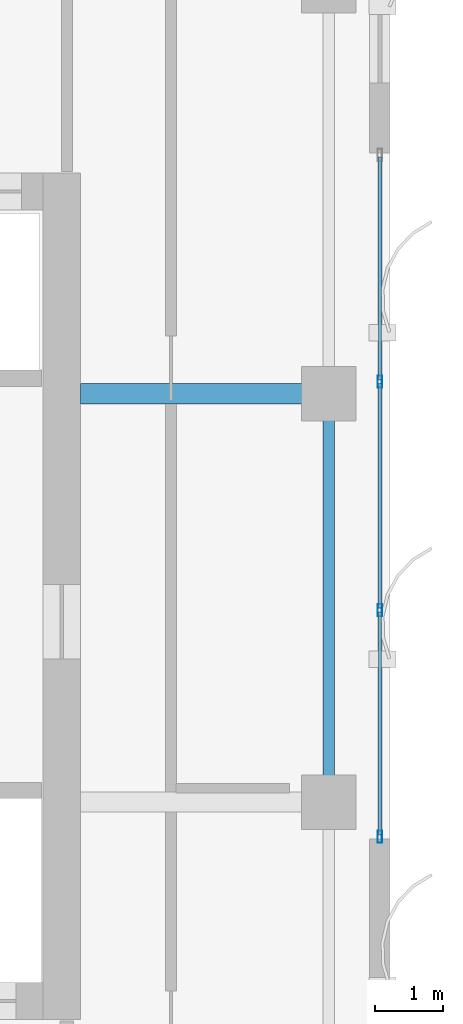
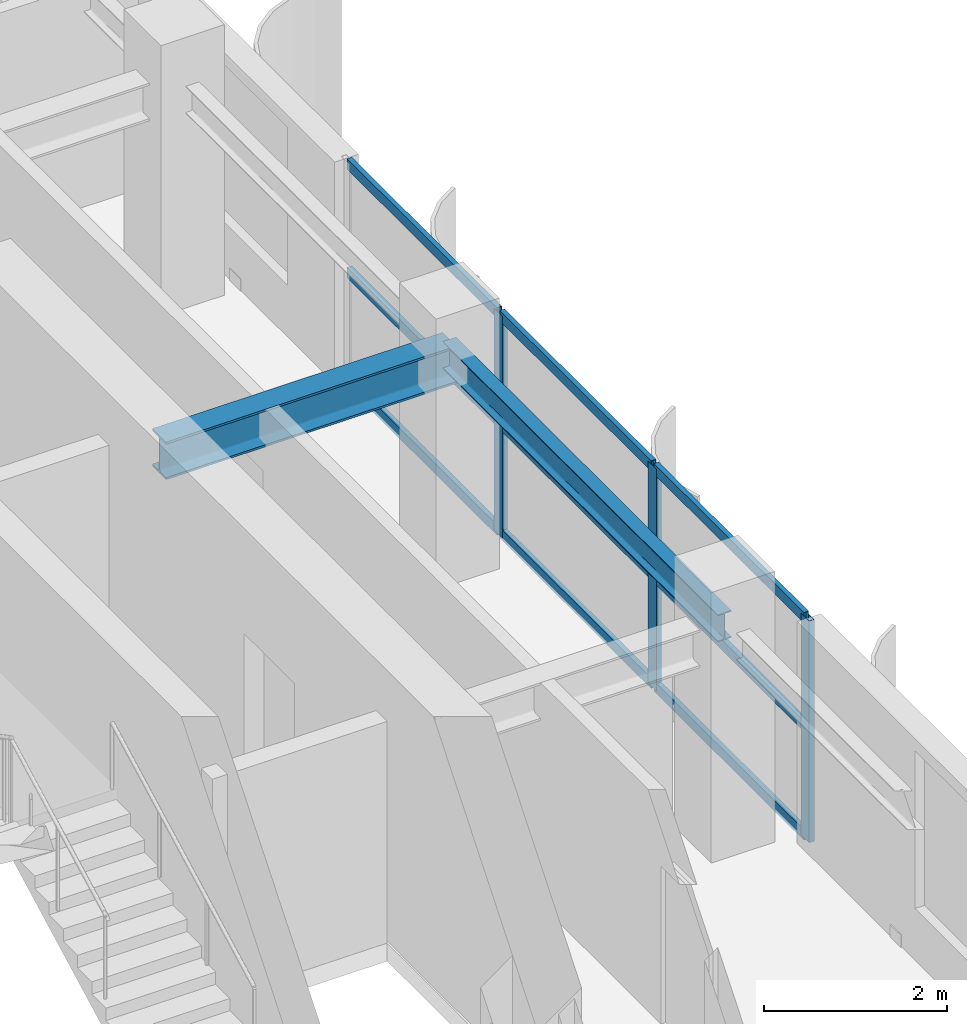
# One storey, part 13 of 25: 12 members, 2 beams, 1 element without a shape of its own.
"""IFC4 building model written with IfcOpenShell, lengths in metres."""

from ifc_helpers import new_model, si_unit, direction, frame, origin, origin_2d, place, context, subcontext, project, spatial, hollow_rectangle, i_section, extrude, source, transform, mapped, material, layer, layer_set, material_profile, profile_set, type_object, element, aggregate, save


model = new_model("IFC4")

# Units and contexts
model_context = context("Model", 3, precision=1e-05, world=origin(), true_north=direction((0.0, 1.0)))
body_context = subcontext(model_context, "Body", "Model", "MODEL_VIEW")
ifc_project = project(units=[si_unit("LENGTHUNIT", "METRE"), si_unit("AREAUNIT", "SQUARE_METRE"), si_unit("VOLUMEUNIT", "CUBIC_METRE"), si_unit("PLANEANGLEUNIT", "RADIAN"), si_unit("MASSUNIT", "GRAM", prefix="KILO")], contexts=[model_context])

# Site, building, storey
site_placement = place(None, origin())
site = spatial("IfcSite", under=ifc_project, at=site_placement, CompositionType="ELEMENT")
building_placement = place(site_placement, origin())
building = spatial("IfcBuilding", under=site, at=building_placement, Name="Khoralis Quay Care Tower", CompositionType="ELEMENT")
storey_placement = place(building_placement, frame((0.0, 0.0, 263.699951171875)))
storey = spatial("IfcBuildingStorey", under=building, at=storey_placement, Name="L69", CompositionType="ELEMENT", Elevation=263.699951171875)

# Beams
ifc_material_1 = material(Name="Steel S355", Category="steel")
ifc_material_profile_1 = material_profile(ifc_material_1, i_section(OverallWidth=0.169921875, OverallDepth=0.360107421875, WebThickness=0.008056640625, FlangeThickness=0.0126953125, FilletRadius=0.01806640625, at=origin_2d()), Name="Steel S355")
ifc_profile_set_1 = profile_set([ifc_material_profile_1], Name="Steel S355")
beam_type_1 = type_object("IfcBeamType", Name="BM-IPE360", PredefinedType="SPANDREL", material=ifc_profile_set_1)
shared_shape_1 = source(origin(), body_context, "Body", "SweptSolid", [
    extrude(i_section(OverallWidth=0.169921875, OverallDepth=0.360107421875, WebThickness=0.008056640625, FlangeThickness=0.0126953125, FilletRadius=0.01806640625, at=origin_2d()), origin(), (0.0, 0.0, 1.0), 6.0),
])
beam_1_placement = place(storey_placement, frame((41.10009765625, 18.0, 2.77001953125), z_axis=(0.0, 1.0, 0.0), x_axis=(-1.0, 0.0, 0.0)))
element("IfcBeam", 1, at=beam_1_placement, inside=storey, type_object=beam_type_1, Name="BM-TSP-L69-12", PredefinedType="SPANDREL", context=body_context, shape_type="MappedRepresentation", body=[
    mapped(shared_shape_1, transform((0.0, 0.0, 0.0), scale=1.0)),
])
ifc_material_profile_2 = material_profile(ifc_material_1, i_section(OverallWidth=0.300048828125, OverallDepth=0.5, WebThickness=0.014404296875, FlangeThickness=0.028076171875, FilletRadius=0.027099609375, at=origin_2d()), Name="Steel S355")
ifc_profile_set_2 = profile_set([ifc_material_profile_2], Name="Steel S355")
beam_type_2 = type_object("IfcBeamType", Name="BM-HEB500", PredefinedType="BEAM", material=ifc_profile_set_2)
shared_shape_2 = source(origin(), body_context, "Body", "SweptSolid", [
    extrude(i_section(OverallWidth=0.300048828125, OverallDepth=0.5, WebThickness=0.014404296875, FlangeThickness=0.028076171875, FilletRadius=0.027099609375, at=origin_2d()), origin(), (0.0, 0.0, 1.0), 3.652099609375),
])
beam_2_placement = place(storey_placement, frame((37.447998046875, 24.0, 2.699951171875), z_axis=(1.0, 0.0, 0.0), x_axis=(0.0, 1.0, 0.0)))
element("IfcBeam", 2, at=beam_2_placement, inside=storey, type_object=beam_type_2, Name="BM-TGXE-L69-240", PredefinedType="BEAM", context=body_context, shape_type="MappedRepresentation", body=[
    mapped(shared_shape_2, transform((0.0, 0.0, 0.0), scale=1.0)),
])

# Curtain wall, members
ifc_material_2 = material(Name="Pale anodised aluminium", Category="aluminium")
ifc_layer = layer(ifc_material_2, 0.159912109375)
ifc_layer_set = layer_set([ifc_layer], Name="Pale anodised aluminium")
curtain_wall_type = type_object("IfcCurtainWallType", Name="CW-SYS-Z3", PredefinedType="NOTDEFINED", material=ifc_layer_set)
curtain_wall_placement = place(storey_placement, origin())
curtain_wall = element("IfcCurtainWall", 3, at=curtain_wall_placement, inside=storey, type_object=curtain_wall_type, Name="L69 Unitised Curtain Wall CW-L69-P2-E5", PredefinedType="NOTDEFINED")
ifc_material_profile_3 = material_profile(ifc_material_2, hollow_rectangle(XDim=0.06494140625, YDim=0.179931640625, WallThickness=0.00390625, at=origin_2d()), Name="Pale anodised aluminium")
ifc_profile_set_3 = profile_set([ifc_material_profile_3], Name="Pale anodised aluminium")
member_type_1 = type_object("IfcMemberType", Name="CW-MUL-180", PredefinedType="MULLION", material=ifc_profile_set_3)
shared_shape_3 = source(origin(), body_context, "Body", "SweptSolid", [
    extrude(hollow_rectangle(XDim=0.06494140625, YDim=0.179931640625, WallThickness=0.00390625, at=origin_2d()), origin(), (0.0, 0.0, 1.0), 2.949951171875),
])
member_1_placement = place(storey_placement, frame((41.85009765625, 17.489990234375, 0.0), z_axis=(0.0, 0.0, 1.0), x_axis=(-1.0, 0.0, 0.0)))
member_1 = element("IfcMember", 4, at=member_1_placement, type_object=member_type_1, Name="CW3 mullion 1", PredefinedType="MULLION", context=body_context, shape_type="MappedRepresentation", body=[
    mapped(shared_shape_3, transform((0.0, 0.0, 0.0), scale=1.0)),
])
member_2_placement = place(storey_placement, frame((41.85009765625, 20.820068359375, 0.0), z_axis=(0.0, 0.0, 1.0), x_axis=(-1.0, 0.0, 0.0)))
member_2 = element("IfcMember", 5, at=member_2_placement, type_object=member_type_1, Name="CW3 mullion 2", PredefinedType="MULLION", context=body_context, shape_type="MappedRepresentation", body=[
    mapped(shared_shape_3, transform((0.0, 0.0, 0.0), scale=1.0)),
])
member_3_placement = place(storey_placement, frame((41.85009765625, 24.179931640625, 0.0), z_axis=(0.0, 0.0, 1.0), x_axis=(-1.0, 0.0, 0.0)))
member_3 = element("IfcMember", 6, at=member_3_placement, type_object=member_type_1, Name="CW3 mullion 3", PredefinedType="MULLION", context=body_context, shape_type="MappedRepresentation", body=[
    mapped(shared_shape_3, transform((0.0, 0.0, 0.0), scale=1.0)),
])
ifc_material_profile_4 = material_profile(ifc_material_2, hollow_rectangle(XDim=0.06005859375, YDim=0.139892578125, WallThickness=0.00390625, at=origin_2d()), Name="Pale anodised aluminium")
ifc_profile_set_4 = profile_set([ifc_material_profile_4], Name="Pale anodised aluminium")
member_type_2 = type_object("IfcMemberType", Name="CW-TRN-140", PredefinedType="USERDEFINED", material=ifc_profile_set_4)
shared_shape_4 = source(origin(), body_context, "Body", "SweptSolid", [
    extrude(hollow_rectangle(XDim=0.06005859375, YDim=0.139892578125, WallThickness=0.00390625, at=origin_2d()), origin(), (0.0, 0.0, 1.0), 3.27001953125),
])
member_4_placement = place(storey_placement, frame((41.85009765625, 17.52001953125, 0.030029296875), z_axis=(0.0, 1.0, 0.0), x_axis=(-1.0, 0.0, 0.0)))
member_4 = element("IfcMember", 7, at=member_4_placement, type_object=member_type_2, Name="CW3 transom 1.1", ObjectType="TRANSOM", PredefinedType="USERDEFINED", context=body_context, shape_type="MappedRepresentation", body=[
    mapped(shared_shape_4, transform((0.0, 0.0, 0.0), scale=1.0)),
])
member_5_placement = place(storey_placement, frame((41.85009765625, 17.52001953125, 1.47509765625), z_axis=(0.0, 1.0, 0.0), x_axis=(-1.0, 0.0, 0.0)))
member_5 = element("IfcMember", 8, at=member_5_placement, type_object=member_type_2, Name="CW3 transom 1.2", ObjectType="TRANSOM", PredefinedType="USERDEFINED", context=body_context, shape_type="MappedRepresentation", body=[
    mapped(shared_shape_4, transform((0.0, 0.0, 0.0), scale=1.0)),
])
member_6_placement = place(storey_placement, frame((41.85009765625, 17.52001953125, 2.920166015625), z_axis=(0.0, 1.0, 0.0), x_axis=(-1.0, 0.0, 0.0)))
member_6 = element("IfcMember", 9, at=member_6_placement, type_object=member_type_2, Name="CW3 transom 1.3", ObjectType="TRANSOM", PredefinedType="USERDEFINED", context=body_context, shape_type="MappedRepresentation", body=[
    mapped(shared_shape_4, transform((0.0, 0.0, 0.0), scale=1.0)),
])
member_7_placement = place(storey_placement, frame((41.85009765625, 24.2099609375, 0.030029296875), z_axis=(0.0, 1.0, 0.0), x_axis=(-1.0, 0.0, 0.0)))
member_7 = element("IfcMember", 10, at=member_7_placement, type_object=member_type_2, Name="CW3 transom 3.1", ObjectType="TRANSOM", PredefinedType="USERDEFINED", context=body_context, shape_type="MappedRepresentation", body=[
    mapped(shared_shape_4, transform((0.0, 0.0, 0.0), scale=1.0)),
])
member_8_placement = place(storey_placement, frame((41.85009765625, 24.2099609375, 1.47509765625), z_axis=(0.0, 1.0, 0.0), x_axis=(-1.0, 0.0, 0.0)))
member_8 = element("IfcMember", 11, at=member_8_placement, type_object=member_type_2, Name="CW3 transom 3.2", ObjectType="TRANSOM", PredefinedType="USERDEFINED", context=body_context, shape_type="MappedRepresentation", body=[
    mapped(shared_shape_4, transform((0.0, 0.0, 0.0), scale=1.0)),
])
member_9_placement = place(storey_placement, frame((41.85009765625, 24.2099609375, 2.920166015625), z_axis=(0.0, 1.0, 0.0), x_axis=(-1.0, 0.0, 0.0)))
member_9 = element("IfcMember", 12, at=member_9_placement, type_object=member_type_2, Name="CW3 transom 3.3", ObjectType="TRANSOM", PredefinedType="USERDEFINED", context=body_context, shape_type="MappedRepresentation", body=[
    mapped(shared_shape_4, transform((0.0, 0.0, 0.0), scale=1.0)),
])
shared_shape_5 = source(origin(), body_context, "Body", "SweptSolid", [
    extrude(hollow_rectangle(XDim=0.06005859375, YDim=0.139892578125, WallThickness=0.00390625, at=origin_2d()), origin(), (0.0, 0.0, 1.0), 3.2998046875),
])
member_10_placement = place(storey_placement, frame((41.85009765625, 20.85009765625, 0.030029296875), z_axis=(0.0, 1.0, 0.0), x_axis=(-1.0, 0.0, 0.0)))
member_10 = element("IfcMember", 13, at=member_10_placement, type_object=member_type_2, Name="CW3 transom 2.1", ObjectType="TRANSOM", PredefinedType="USERDEFINED", context=body_context, shape_type="MappedRepresentation", body=[
    mapped(shared_shape_5, transform((0.0, 0.0, 0.0), scale=1.0)),
])
member_11_placement = place(storey_placement, frame((41.85009765625, 20.85009765625, 1.47509765625), z_axis=(0.0, 1.0, 0.0), x_axis=(-1.0, 0.0, 0.0)))
member_11 = element("IfcMember", 14, at=member_11_placement, type_object=member_type_2, Name="CW3 transom 2.2", ObjectType="TRANSOM", PredefinedType="USERDEFINED", context=body_context, shape_type="MappedRepresentation", body=[
    mapped(shared_shape_5, transform((0.0, 0.0, 0.0), scale=1.0)),
])
member_12_placement = place(storey_placement, frame((41.85009765625, 20.85009765625, 2.920166015625), z_axis=(0.0, 1.0, 0.0), x_axis=(-1.0, 0.0, 0.0)))
member_12 = element("IfcMember", 15, at=member_12_placement, type_object=member_type_2, Name="CW3 transom 2.3", ObjectType="TRANSOM", PredefinedType="USERDEFINED", context=body_context, shape_type="MappedRepresentation", body=[
    mapped(shared_shape_5, transform((0.0, 0.0, 0.0), scale=1.0)),
])
aggregate(curtain_wall, [member_1, member_2, member_3, member_4, member_5, member_6, member_10, member_11, member_12, member_7, member_8, member_9])

save(model, "model.ifc")
